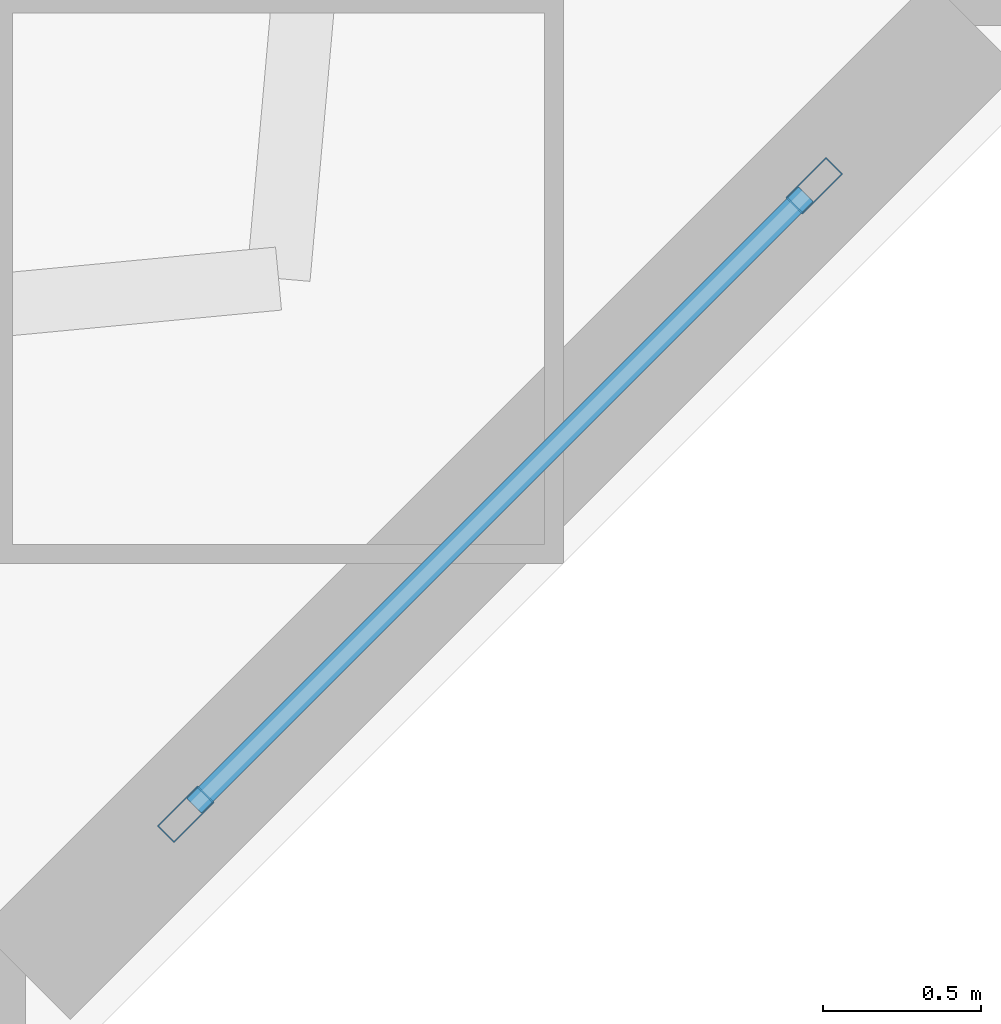
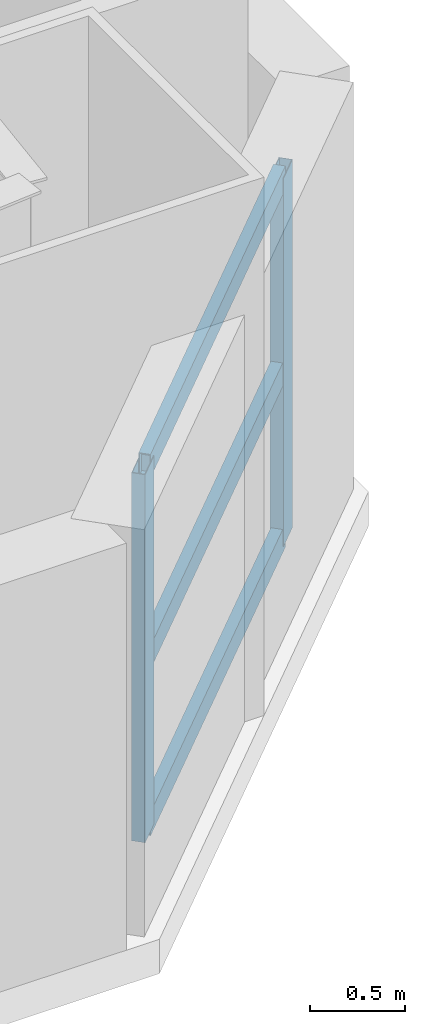
# One storey, part 2 of 18: 5 members, 1 element without a shape of its own.
"""IFC4 building model written with IfcOpenShell, lengths in metres."""

from ifc_helpers import new_model, si_unit, direction, frame, origin, origin_2d, place, context, subcontext, project, spatial, hollow_rectangle, extrude, material, layer, layer_set, material_profile, profile_set, type_object, element, aggregate, save


model = new_model("IFC4")

# Units and contexts
model_context = context("Model", 3, precision=1e-05, world=origin(), true_north=direction((0.0, 1.0)))
body_context = subcontext(model_context, "Body", "Model", "MODEL_VIEW")
ifc_project = project(units=[si_unit("LENGTHUNIT", "METRE"), si_unit("AREAUNIT", "SQUARE_METRE"), si_unit("VOLUMEUNIT", "CUBIC_METRE"), si_unit("PLANEANGLEUNIT", "RADIAN"), si_unit("MASSUNIT", "GRAM", prefix="KILO")], contexts=[model_context])

# Site, building, storey
site_placement = place(None, origin())
site = spatial("IfcSite", under=ifc_project, at=site_placement, CompositionType="ELEMENT")
building_placement = place(site_placement, origin())
building = spatial("IfcBuilding", under=site, at=building_placement, Name="Qiaolan Cultural Towers", CompositionType="ELEMENT")
storey_placement = place(building_placement, frame((0.0, 0.0, 74.75)))
storey = spatial("IfcBuildingStorey", under=building, at=storey_placement, Name="L18", CompositionType="ELEMENT", Elevation=74.75)

# Curtain wall, members
ifc_material_1 = material(Name="Unitized Anodized Aluminium Curtain Wall System", Category="aluminium")
ifc_layer = layer(ifc_material_1, 0.199951171875)
ifc_layer_set = layer_set([ifc_layer], Name="Unitized Anodized Aluminium Curtain Wall System")
curtain_wall_type = type_object("IfcCurtainWallType", Name="CWS-02", PredefinedType="NOTDEFINED", material=ifc_layer_set)
curtain_wall_placement = place(storey_placement, origin())
curtain_wall = element("IfcCurtainWall", 1, at=curtain_wall_placement, inside=storey, type_object=curtain_wall_type, Name="L18 T1 Chamfer Wind-Corner Feature Curtain Wall 2", PredefinedType="NOTDEFINED")
ifc_material_2 = material(Name="Extruded Aluminium 6063-T6", Category="aluminium")
ifc_material_profile_1 = material_profile(ifc_material_2, hollow_rectangle(XDim=0.074951171875, YDim=0.179931640625, WallThickness=0.00390625, at=origin_2d()), Name="CWM-180x75x4")
ifc_profile_set_1 = profile_set([ifc_material_profile_1], Name="Extruded Aluminium 6063-T6")
member_type_1 = type_object("IfcMemberType", Name="CWS-02-MUL", PredefinedType="MULLION", material=ifc_profile_set_1)
member_1_placement = place(storey_placement, frame((49.093505859375, 6.693603515625, 0.14990234375), z_axis=(0.0, 0.0, 1.0), x_axis=(0.707106781187, -0.707106781187, 0.0)))
member_1 = element("IfcMember", 2, at=member_1_placement, type_object=member_type_1, Name="CW-2 mullion 1", PredefinedType="MULLION", context=body_context, shape_type="SweptSolid", body=[
    extrude(hollow_rectangle(XDim=0.074951171875, YDim=0.179931640625, WallThickness=0.00390625, at=origin_2d()), origin(), (0.0, 0.0, 1.0), 2.360107421875),
])
member_2_placement = place(storey_placement, frame((47.1064453125, 4.70654296875, 0.14990234375), z_axis=(0.0, 0.0, 1.0), x_axis=(0.707106781187, -0.707106781187, 0.0)))
member_2 = element("IfcMember", 3, at=member_2_placement, type_object=member_type_1, Name="CW-2 mullion 2", PredefinedType="MULLION", context=body_context, shape_type="SweptSolid", body=[
    extrude(hollow_rectangle(XDim=0.074951171875, YDim=0.179931640625, WallThickness=0.00390625, at=origin_2d()), origin(), (0.0, 0.0, 1.0), 2.360107421875),
])
ifc_material_3 = material(Name="Extruded Aluminium 6063-T6", Category="aluminium")
ifc_material_profile_2 = material_profile(ifc_material_3, hollow_rectangle(XDim=0.06494140625, YDim=0.14990234375, WallThickness=0.00390625, at=origin_2d()), Name="CWT-150x65x4")
ifc_profile_set_2 = profile_set([ifc_material_profile_2], Name="Extruded Aluminium 6063-T6")
member_type_2 = type_object("IfcMemberType", Name="CWS-02-TRN", PredefinedType="USERDEFINED", material=ifc_profile_set_2)
member_3_placement = place(storey_placement, frame((49.06689453125, 6.6669921875, 0.1826171875), z_axis=(-0.707106781187, -0.707106781187, 0.0), x_axis=(0.707106781187, -0.707106781187, 0.0)))
member_3 = element("IfcMember", 4, at=member_3_placement, type_object=member_type_2, Name="CW-2 transom 1.1", ObjectType="TRANSOM", PredefinedType="USERDEFINED", context=body_context, shape_type="SweptSolid", body=[
    extrude(hollow_rectangle(XDim=0.06494140625, YDim=0.14990234375, WallThickness=0.00390625, at=origin_2d()), origin(), (0.0, 0.0, 1.0), 2.73486328125),
])
member_4_placement = place(storey_placement, frame((49.06689453125, 6.6669921875, 1.25), z_axis=(-0.707106781187, -0.707106781187, 0.0), x_axis=(0.707106781187, -0.707106781187, 0.0)))
member_4 = element("IfcMember", 5, at=member_4_placement, type_object=member_type_2, Name="CW-2 transom 1.2", ObjectType="TRANSOM", PredefinedType="USERDEFINED", context=body_context, shape_type="SweptSolid", body=[
    extrude(hollow_rectangle(XDim=0.06494140625, YDim=0.14990234375, WallThickness=0.00390625, at=origin_2d()), origin(), (0.0, 0.0, 1.0), 2.73486328125),
])
member_5_placement = place(storey_placement, frame((49.06689453125, 6.6669921875, 2.4775390625), z_axis=(-0.707106781187, -0.707106781187, 0.0), x_axis=(0.707106781187, -0.707106781187, 0.0)))
member_5 = element("IfcMember", 6, at=member_5_placement, type_object=member_type_2, Name="CW-2 transom 1.3", ObjectType="TRANSOM", PredefinedType="USERDEFINED", context=body_context, shape_type="SweptSolid", body=[
    extrude(hollow_rectangle(XDim=0.06494140625, YDim=0.14990234375, WallThickness=0.00390625, at=origin_2d()), origin(), (0.0, 0.0, 1.0), 2.73486328125),
])
aggregate(curtain_wall, [member_1, member_2, member_3, member_4, member_5])

save(model, "model.ifc")
